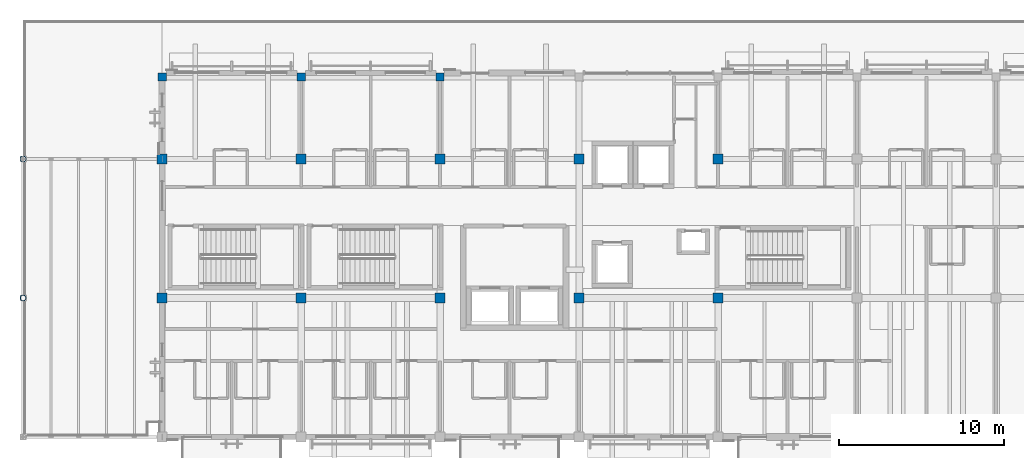
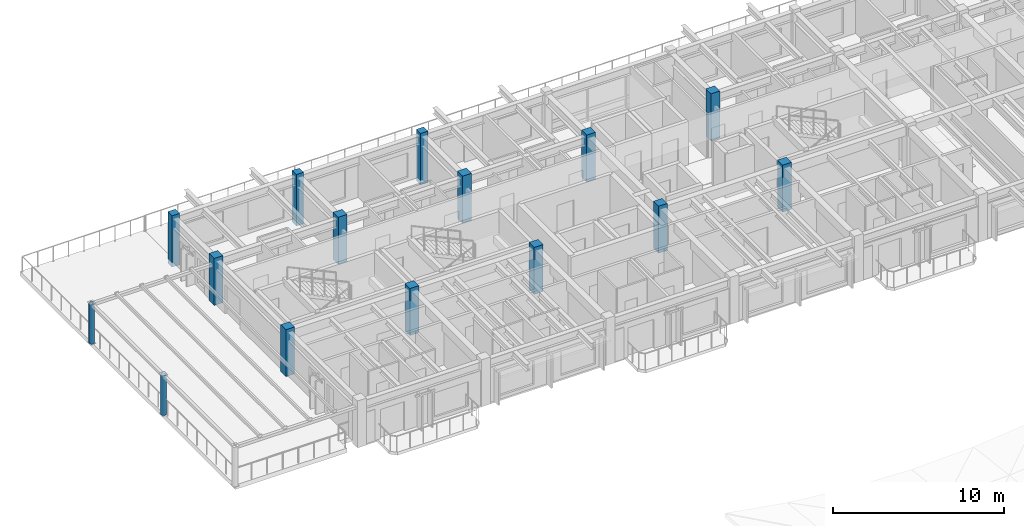
# One storey, part 3 of 22: 15 columns.
"""IFC4 building model written with IfcOpenShell, lengths in metres."""

from ifc_helpers import new_model, si_unit, direction, frame, origin, origin_2d, place, context, subcontext, project, spatial, rectangle, hollow_circle, extrude, material, material_profile, profile_set, type_object, element, save


model = new_model("IFC4")

# Units and contexts
model_context = context("Model", 3, precision=1e-05, world=origin(), true_north=direction((0.0, 1.0)))
body_context = subcontext(model_context, "Body", "Model", "MODEL_VIEW")
ifc_project = project(units=[si_unit("LENGTHUNIT", "METRE"), si_unit("AREAUNIT", "SQUARE_METRE"), si_unit("VOLUMEUNIT", "CUBIC_METRE"), si_unit("PLANEANGLEUNIT", "RADIAN"), si_unit("MASSUNIT", "GRAM", prefix="KILO")], contexts=[model_context])

# Site, building, storey
site_placement = place(None, origin())
site = spatial("IfcSite", under=ifc_project, at=site_placement, CompositionType="ELEMENT")
building_placement = place(site_placement, origin())
building = spatial("IfcBuilding", under=site, at=building_placement, Name="Cumbredor Promenade Congress Hotel", CompositionType="ELEMENT")
storey_placement = place(building_placement, frame((0.0, 0.0, 28.56005859375)))
storey = spatial("IfcBuildingStorey", under=building, at=storey_placement, Name="L08", CompositionType="ELEMENT", Elevation=28.56005859375)

# Columns
ifc_material_1 = material(Name="Concrete C40/50", Category="concrete")
ifc_material_profile_1 = material_profile(ifc_material_1, rectangle(XDim=0.5, YDim=0.5, at=origin_2d()), Name="RC 500x500")
ifc_profile_set_1 = profile_set([ifc_material_profile_1], Name="Concrete C40/50")
column_type_1 = type_object("IfcColumnType", Name="COL-RC-500", PredefinedType="COLUMN", material=ifc_profile_set_1)
for number, where, z_axis, x_axis, name in (
    (1, (8.39990234375, 114.14990234375, -0.31494140625), (0.0, 0.0, 1.0), (1.0, 0.0, 0.0), "L08 Structural Column 004"),
    (2, (16.800048828125, 114.14990234375, -0.31494140625), (0.0, 0.0, 1.0), (1.0, 0.0, 0.0), "L08 Structural Column 008"),
    (3, (25.199951171875, 114.14990234375, -0.31494140625), (0.0, 0.0, 1.0), (1.0, 0.0, 0.0), "L08 Structural Column 012"),
):
    element("IfcColumn", number, at=place(storey_placement, frame(where, z_axis=z_axis, x_axis=x_axis)), inside=storey, type_object=column_type_1, Name=name, PredefinedType="COLUMN", context=body_context, shape_type="SweptSolid", body=[
        extrude(rectangle(XDim=0.5, YDim=0.5, at=origin_2d()), origin(), (0.0, 0.0, 1.0), 3.6748046875),
    ])
ifc_material_profile_2 = material_profile(ifc_material_1, rectangle(XDim=0.60009765625, YDim=0.60009765625, at=origin_2d()), Name="RC 600x600")
ifc_profile_set_2 = profile_set([ifc_material_profile_2], Name="Concrete C40/50")
column_type_2 = type_object("IfcColumnType", Name="COL-RC-600", PredefinedType="COLUMN", material=ifc_profile_set_2)
for number, where, z_axis, x_axis, name in (
    (4, (8.39990234375, 100.800048828125, 0.0), (0.0, 0.0, 1.0), (1.0, 0.0, 0.0), "L08 Structural Column 002"),
    (5, (8.39990234375, 109.199951171875, 0.0), (0.0, 0.0, 1.0), (1.0, 0.0, 0.0), "L08 Structural Column 003"),
    (6, (16.800048828125, 100.800048828125, 0.0), (0.0, 0.0, 1.0), (1.0, 0.0, 0.0), "L08 Structural Column 006"),
    (7, (16.800048828125, 109.199951171875, 0.0), (0.0, 0.0, 1.0), (1.0, 0.0, 0.0), "L08 Structural Column 007"),
    (8, (25.199951171875, 100.800048828125, 0.0), (0.0, 0.0, 1.0), (1.0, 0.0, 0.0), "L08 Structural Column 010"),
    (9, (25.199951171875, 109.199951171875, 0.0), (0.0, 0.0, 1.0), (1.0, 0.0, 0.0), "L08 Structural Column 011"),
    (10, (33.60009765625, 100.800048828125, 0.0), (0.0, 0.0, 1.0), (1.0, 0.0, 0.0), "L08 Structural Column 014"),
    (11, (33.60009765625, 109.199951171875, 0.0), (0.0, 0.0, 1.0), (1.0, 0.0, 0.0), "L08 Structural Column 015"),
    (12, (42.0, 100.800048828125, 0.0), (0.0, 0.0, 1.0), (1.0, 0.0, 0.0), "L08 Structural Column 018"),
    (13, (42.0, 109.199951171875, 0.0), (0.0, 0.0, 1.0), (1.0, 0.0, 0.0), "L08 Structural Column 019"),
):
    element("IfcColumn", number, at=place(storey_placement, frame(where, z_axis=z_axis, x_axis=x_axis)), inside=storey, type_object=column_type_2, Name=name, PredefinedType="COLUMN", context=body_context, shape_type="SweptSolid", body=[
        extrude(rectangle(XDim=0.60009765625, YDim=0.60009765625, at=origin_2d()), origin(), (0.0, 0.0, 1.0), 3.35986328125),
    ])
ifc_material_2 = material(Name="Steel ASTM A500 Grade C", Category="steel")
ifc_material_profile_3 = material_profile(ifc_material_2, hollow_circle(Radius=0.177734375, WallThickness=0.01611328125, at=origin_2d()), Name="CHS 355.6x16")
ifc_profile_set_3 = profile_set([ifc_material_profile_3], Name="Steel ASTM A500 Grade C")
column_type_3 = type_object("IfcColumnType", Name="COL-STL-CHS355", PredefinedType="COLUMN", material=ifc_profile_set_3)
for number, where, z_axis, x_axis, name in (
    (14, (0.0, 100.800048828125, 0.0048828125), (0.0, 0.0, 1.0), (1.0, 0.0, 0.0), "L08 Sky-Garden Pergola Post 4.2"),
    (15, (0.0, 109.199951171875, 0.0048828125), (0.0, 0.0, 1.0), (1.0, 0.0, 0.0), "L08 Sky-Garden Pergola Post 4.3"),
):
    element("IfcColumn", number, at=place(storey_placement, frame(where, z_axis=z_axis, x_axis=x_axis)), inside=storey, type_object=column_type_3, Name=name, PredefinedType="COLUMN", context=body_context, shape_type="SweptSolid", body=[
        extrude(hollow_circle(Radius=0.177734375, WallThickness=0.01611328125, at=origin_2d()), origin(), (0.0, 0.0, 1.0), 2.844970703125),
    ])

save(model, "model.ifc")
